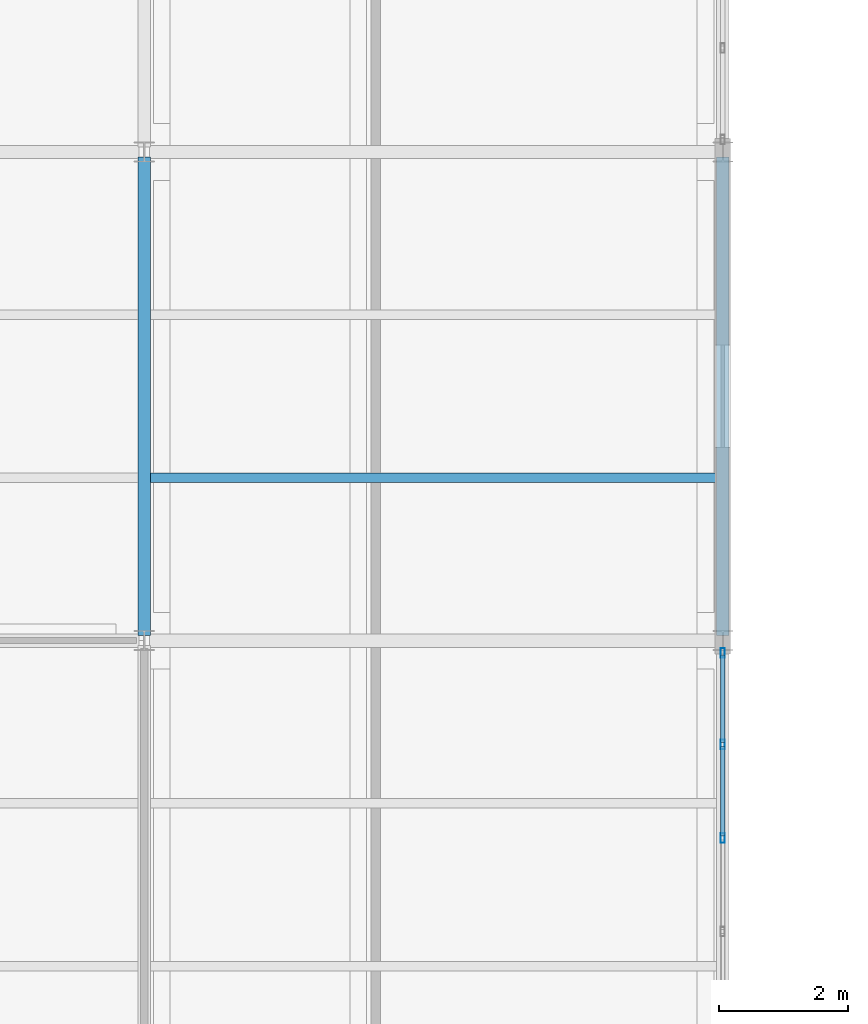
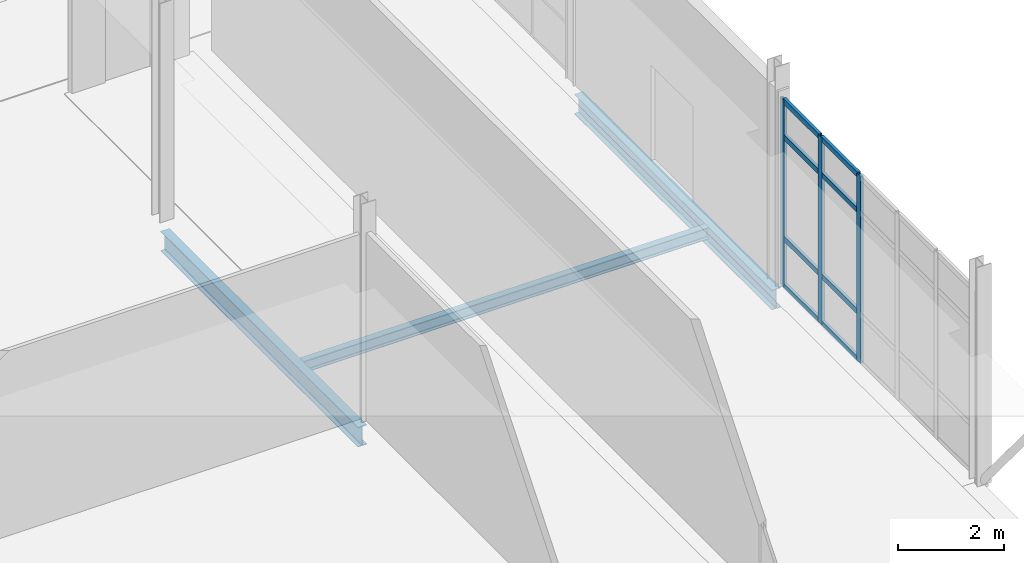
# One storey, part 116 of 161: 11 members, 3 beams, 1 element without a shape of its own.
"""IFC4 building model written with IfcOpenShell, lengths in metres."""

from ifc_helpers import new_model, si_unit, direction, frame, origin, origin_2d, place, context, subcontext, project, spatial, hollow_rectangle, i_section, extrude, material, material_profile, profile_set, type_object, element, aggregate, save


model = new_model("IFC4")

# Units and contexts
model_context = context("Model", 3, precision=1e-05, world=origin(), true_north=direction((0.0, 1.0)))
body_context = subcontext(model_context, "Body", "Model", "MODEL_VIEW")
ifc_project = project(units=[si_unit("LENGTHUNIT", "METRE"), si_unit("AREAUNIT", "SQUARE_METRE"), si_unit("VOLUMEUNIT", "CUBIC_METRE"), si_unit("PLANEANGLEUNIT", "RADIAN"), si_unit("MASSUNIT", "GRAM", prefix="KILO")], contexts=[model_context])

# Site, building, storey
site_placement = place(None, origin())
site = spatial("IfcSite", under=ifc_project, at=site_placement, CompositionType="ELEMENT")
building_placement = place(site_placement, origin())
building = spatial("IfcBuilding", under=site, at=building_placement, Name="Caisbarro Railhouse Central Library", CompositionType="ELEMENT")
storey_placement = place(building_placement, origin())
storey = spatial("IfcBuildingStorey", under=building, at=storey_placement, Name="L00", CompositionType="ELEMENT", Elevation=0.0)

# Beams
ifc_material_1 = material(Name="Steel ASTM A572 Grade 50", Category="steel")
ifc_material_profile_1 = material_profile(ifc_material_1, i_section(OverallWidth=0.18994140625, OverallDepth=0.45703125, WebThickness=0.009033203125, FlangeThickness=0.014404296875, FilletRadius=0.01806640625, at=origin_2d()), Name="W460X74.0")
ifc_profile_set_1 = profile_set([ifc_material_profile_1], Name="Steel ASTM A572 Grade 50")
beam_type_1 = type_object("IfcBeamType", Name="BM-G08", PredefinedType="BEAM", material=ifc_profile_set_1)
for number, where, z_axis, x_axis, name in (
    (1, (144.0, 91.280029296875, -0.478515625), (0.0, 1.0, 0.0), (-1.0, 0.0, 0.0), "G08 beam L00 #547"),
    (2, (153.0, 91.280029296875, -0.478515625), (0.0, 1.0, 0.0), (-1.0, 0.0, 0.0), "G08 beam L00 #554"),
):
    element("IfcBeam", number, at=place(storey_placement, frame(where, z_axis=z_axis, x_axis=x_axis)), inside=storey, type_object=beam_type_1, Name=name, PredefinedType="BEAM", context=body_context, shape_type="SweptSolid", body=[
        extrude(i_section(OverallWidth=0.18994140625, OverallDepth=0.45703125, WebThickness=0.009033203125, FlangeThickness=0.014404296875, FilletRadius=0.01806640625, at=origin_2d()), origin(), (0.0, 0.0, 1.0), 7.43994140625),
    ])
ifc_material_profile_2 = material_profile(ifc_material_1, i_section(OverallWidth=0.14794921875, OverallDepth=0.26611328125, WebThickness=0.007568359375, FlangeThickness=0.012939453125, FilletRadius=0.010009765625, at=origin_2d()), Name="W250X44.8")
ifc_profile_set_2 = profile_set([ifc_material_profile_2], Name="Steel ASTM A572 Grade 50")
beam_type_2 = type_object("IfcBeamType", Name="BM-J04", PredefinedType="JOIST", material=ifc_profile_set_2)
beam_placement = place(storey_placement, frame((144.094970703125, 93.7333984375, -0.383056640625), z_axis=(1.0, 0.0, 0.0), x_axis=(0.0, 1.0, 0.0)))
element("IfcBeam", 3, at=beam_placement, inside=storey, type_object=beam_type_2, Name="J04 beam L00 #607", PredefinedType="JOIST", context=body_context, shape_type="SweptSolid", body=[
    extrude(i_section(OverallWidth=0.14794921875, OverallDepth=0.26611328125, WebThickness=0.007568359375, FlangeThickness=0.012939453125, FilletRadius=0.010009765625, at=origin_2d()), origin(), (0.0, 0.0, 1.0), 8.81005859375),
])

# Curtain wall, members
ifc_material_2 = material(Name="Anodised architectural aluminium", Category="aluminium")
curtain_wall_type = type_object("IfcCurtainWallType", Name="CW-CW03", PredefinedType="NOTDEFINED", material=ifc_material_2)
curtain_wall_placement = place(storey_placement, origin())
curtain_wall = element("IfcCurtainWall", 4, at=curtain_wall_placement, inside=storey, type_object=curtain_wall_type, Name="CW03 curtain wall L00 #108", PredefinedType="NOTDEFINED")
ifc_material_profile_3 = material_profile(ifc_material_2, hollow_rectangle(XDim=0.06494140625, YDim=0.14990234375, WallThickness=0.00390625, at=origin_2d()), Name="ALU-MUL-65X150")
ifc_profile_set_3 = profile_set([ifc_material_profile_3], Name="Anodised architectural aluminium")
member_type_1 = type_object("IfcMemberType", Name="CWM-M02", PredefinedType="MULLION", material=ifc_profile_set_3)
member_1_placement = place(storey_placement, frame((153.0, 88.1279296875, 0.0), z_axis=(0.0, 0.0, 1.0), x_axis=(-1.0, 0.0, 0.0)))
member_1 = element("IfcMember", 5, at=member_1_placement, type_object=member_type_1, Name="CW03 mullion 4", PredefinedType="MULLION", context=body_context, shape_type="SweptSolid", body=[
    extrude(hollow_rectangle(XDim=0.06494140625, YDim=0.14990234375, WallThickness=0.00390625, at=origin_2d()), origin(), (0.0, 0.0, 1.0), 4.300048828125),
])
member_2_placement = place(storey_placement, frame((153.0, 89.583984375, 0.0), z_axis=(0.0, 0.0, 1.0), x_axis=(-1.0, 0.0, 0.0)))
member_2 = element("IfcMember", 6, at=member_2_placement, type_object=member_type_1, Name="CW03 mullion 5", PredefinedType="MULLION", context=body_context, shape_type="SweptSolid", body=[
    extrude(hollow_rectangle(XDim=0.06494140625, YDim=0.14990234375, WallThickness=0.00390625, at=origin_2d()), origin(), (0.0, 0.0, 1.0), 4.300048828125),
])
member_3_placement = place(storey_placement, frame((153.0, 91.007568359375, 0.0), z_axis=(0.0, 0.0, 1.0), x_axis=(-1.0, 0.0, 0.0)))
member_3 = element("IfcMember", 7, at=member_3_placement, type_object=member_type_1, Name="CW03 mullion 6", PredefinedType="MULLION", context=body_context, shape_type="SweptSolid", body=[
    extrude(hollow_rectangle(XDim=0.06494140625, YDim=0.14990234375, WallThickness=0.00390625, at=origin_2d()), origin(), (0.0, 0.0, 1.0), 4.300048828125),
])
ifc_material_profile_4 = material_profile(ifc_material_2, hollow_rectangle(XDim=0.06494140625, YDim=0.1201171875, WallThickness=0.00341796875, at=origin_2d()), Name="ALU-TRN-65X120")
ifc_profile_set_4 = profile_set([ifc_material_profile_4], Name="Anodised architectural aluminium")
member_type_2 = type_object("IfcMemberType", Name="CWT-T02", PredefinedType="USERDEFINED", material=ifc_profile_set_4)
member_4_placement = place(storey_placement, frame((153.0, 88.160400390625, 0.032470703125), z_axis=(0.0, 1.0, 0.0), x_axis=(-1.0, 0.0, 0.0)))
member_4 = element("IfcMember", 8, at=member_4_placement, type_object=member_type_2, Name="CW03 transom 4.1", ObjectType="TRANSOM", PredefinedType="USERDEFINED", context=body_context, shape_type="SweptSolid", body=[
    extrude(hollow_rectangle(XDim=0.06494140625, YDim=0.1201171875, WallThickness=0.00341796875, at=origin_2d()), origin(), (0.0, 0.0, 1.0), 1.39111328125),
])
member_5_placement = place(storey_placement, frame((153.0, 88.160400390625, 1.1201171875), z_axis=(0.0, 1.0, 0.0), x_axis=(-1.0, 0.0, 0.0)))
member_5 = element("IfcMember", 9, at=member_5_placement, type_object=member_type_2, Name="CW03 transom 4.2", ObjectType="TRANSOM", PredefinedType="USERDEFINED", context=body_context, shape_type="SweptSolid", body=[
    extrude(hollow_rectangle(XDim=0.06494140625, YDim=0.1201171875, WallThickness=0.00341796875, at=origin_2d()), origin(), (0.0, 0.0, 1.0), 1.39111328125),
])
member_6_placement = place(storey_placement, frame((153.0, 88.160400390625, 3.449951171875), z_axis=(0.0, 1.0, 0.0), x_axis=(-1.0, 0.0, 0.0)))
member_6 = element("IfcMember", 10, at=member_6_placement, type_object=member_type_2, Name="CW03 transom 4.3", ObjectType="TRANSOM", PredefinedType="USERDEFINED", context=body_context, shape_type="SweptSolid", body=[
    extrude(hollow_rectangle(XDim=0.06494140625, YDim=0.1201171875, WallThickness=0.00341796875, at=origin_2d()), origin(), (0.0, 0.0, 1.0), 1.39111328125),
])
member_7_placement = place(storey_placement, frame((153.0, 88.160400390625, 4.267578125), z_axis=(0.0, 1.0, 0.0), x_axis=(-1.0, 0.0, 0.0)))
member_7 = element("IfcMember", 11, at=member_7_placement, type_object=member_type_2, Name="CW03 transom 4.4", ObjectType="TRANSOM", PredefinedType="USERDEFINED", context=body_context, shape_type="SweptSolid", body=[
    extrude(hollow_rectangle(XDim=0.06494140625, YDim=0.1201171875, WallThickness=0.00341796875, at=origin_2d()), origin(), (0.0, 0.0, 1.0), 1.39111328125),
])
member_8_placement = place(storey_placement, frame((153.0, 89.616455078125, 0.032470703125), z_axis=(0.0, 1.0, 0.0), x_axis=(-1.0, 0.0, 0.0)))
member_8 = element("IfcMember", 12, at=member_8_placement, type_object=member_type_2, Name="CW03 transom 5.1", ObjectType="TRANSOM", PredefinedType="USERDEFINED", context=body_context, shape_type="SweptSolid", body=[
    extrude(hollow_rectangle(XDim=0.06494140625, YDim=0.1201171875, WallThickness=0.00341796875, at=origin_2d()), origin(), (0.0, 0.0, 1.0), 1.358642578125),
])
member_9_placement = place(storey_placement, frame((153.0, 89.616455078125, 1.1201171875), z_axis=(0.0, 1.0, 0.0), x_axis=(-1.0, 0.0, 0.0)))
member_9 = element("IfcMember", 13, at=member_9_placement, type_object=member_type_2, Name="CW03 transom 5.2", ObjectType="TRANSOM", PredefinedType="USERDEFINED", context=body_context, shape_type="SweptSolid", body=[
    extrude(hollow_rectangle(XDim=0.06494140625, YDim=0.1201171875, WallThickness=0.00341796875, at=origin_2d()), origin(), (0.0, 0.0, 1.0), 1.358642578125),
])
member_10_placement = place(storey_placement, frame((153.0, 89.616455078125, 3.449951171875), z_axis=(0.0, 1.0, 0.0), x_axis=(-1.0, 0.0, 0.0)))
member_10 = element("IfcMember", 14, at=member_10_placement, type_object=member_type_2, Name="CW03 transom 5.3", ObjectType="TRANSOM", PredefinedType="USERDEFINED", context=body_context, shape_type="SweptSolid", body=[
    extrude(hollow_rectangle(XDim=0.06494140625, YDim=0.1201171875, WallThickness=0.00341796875, at=origin_2d()), origin(), (0.0, 0.0, 1.0), 1.358642578125),
])
member_11_placement = place(storey_placement, frame((153.0, 89.616455078125, 4.267578125), z_axis=(0.0, 1.0, 0.0), x_axis=(-1.0, 0.0, 0.0)))
member_11 = element("IfcMember", 15, at=member_11_placement, type_object=member_type_2, Name="CW03 transom 5.4", ObjectType="TRANSOM", PredefinedType="USERDEFINED", context=body_context, shape_type="SweptSolid", body=[
    extrude(hollow_rectangle(XDim=0.06494140625, YDim=0.1201171875, WallThickness=0.00341796875, at=origin_2d()), origin(), (0.0, 0.0, 1.0), 1.358642578125),
])
aggregate(curtain_wall, [member_1, member_2, member_3, member_4, member_5, member_6, member_7, member_8, member_9, member_10, member_11])

save(model, "model.ifc")
